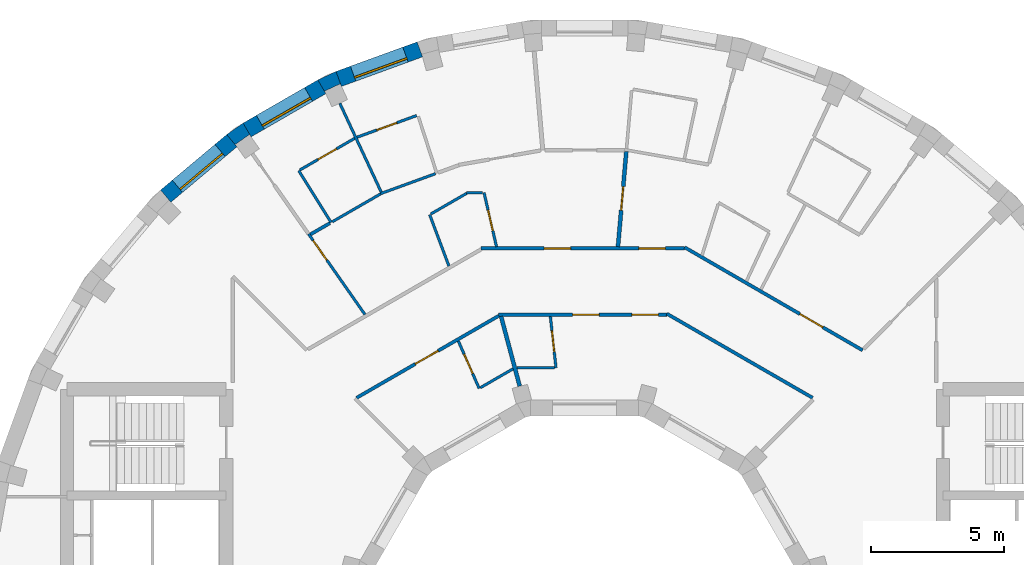
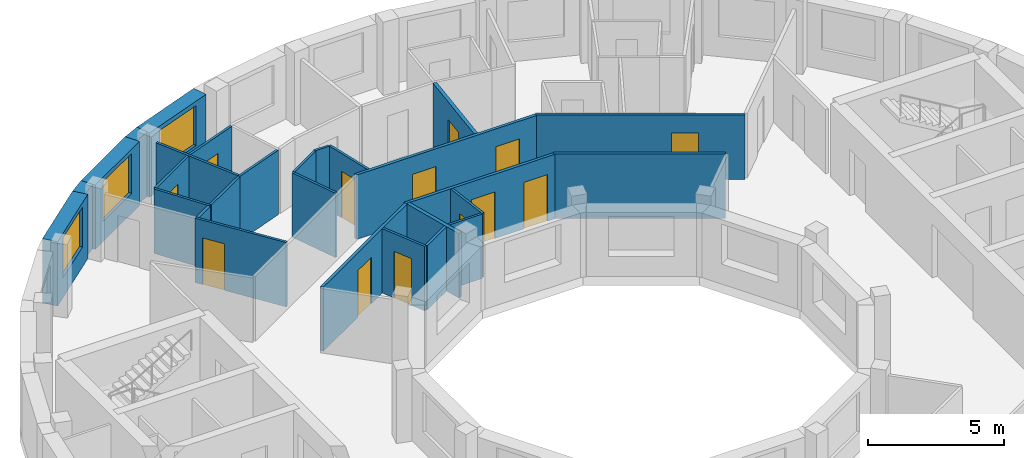
# One storey, part 9 of 12: 28 walls, 13 doors, 3 windows, 16 openings.
"""IFC4 building model written with IfcOpenShell, lengths in metres."""

from ifc_helpers import new_model, si_unit, direction, frame, frame_2d, origin, place, context, subcontext, project, spatial, polyline, rectangle, outline, extrude, material, layer, layer_set, type_object, element, fill, save


model = new_model("IFC4")

# Units and contexts
model_context = context("Model", 3, precision=1e-05, world=origin(), true_north=direction((0.0, 1.0)))
body_context = subcontext(model_context, "Body", "Model", "MODEL_VIEW")
ifc_project = project(units=[si_unit("LENGTHUNIT", "METRE"), si_unit("AREAUNIT", "SQUARE_METRE"), si_unit("VOLUMEUNIT", "CUBIC_METRE"), si_unit("PLANEANGLEUNIT", "RADIAN"), si_unit("MASSUNIT", "GRAM", prefix="KILO")], contexts=[model_context])

# Site, building, storey
site_placement = place(None, origin())
site = spatial("IfcSite", under=ifc_project, at=site_placement, CompositionType="ELEMENT")
building_placement = place(site_placement, origin())
building = spatial("IfcBuilding", under=site, at=building_placement, Name="Saqina Gate Tower", CompositionType="ELEMENT")
storey_placement = place(building_placement, frame((0.0, 0.0, 266.0)))
storey = spatial("IfcBuildingStorey", under=building, at=storey_placement, Name="L76", CompositionType="ELEMENT", Elevation=266.0)

# Walls
ifc_material_1 = material(Name="Brick masonry (buff)", Category="masonry")
wall_type_1 = type_object("IfcWallType", Name="BRICK PIER COPING BUFF", PredefinedType="SOLIDWALL", material=ifc_material_1)
wall_1_placement = place(storey_placement, origin())
element("IfcWall", 1, at=wall_1_placement, inside=storey, type_object=wall_type_1, Name="Pier cap L76 column 12", PredefinedType="SOLIDWALL", context=body_context, shape_type="SweptSolid", body=[
    extrude(outline(polyline([(-9.3642578125, 20.974609375), (-10.048095703125, 20.65576171875), (-9.748291015625, 20.135986328125), (-9.79296875, 20.23193359375), (-9.203857421875, 20.506591796875), (-9.1591796875, 20.410888671875), (-9.3642578125, 20.974609375)])), origin(), (0.0, 0.0, 1.0), 2.89990234375),
])
wall_2_placement = place(storey_placement, origin())
element("IfcWall", 2, at=wall_2_placement, inside=storey, type_object=wall_type_1, Name="Pier cap L76 column 13", PredefinedType="SOLIDWALL", context=body_context, shape_type="SweptSolid", body=[
    extrude(outline(polyline([(-12.8642578125, 19.02978515625), (-13.482421875, 18.59716796875), (-13.0966796875, 18.137451171875), (-13.157470703125, 18.22412109375), (-12.625, 18.596923828125), (-12.564208984375, 18.51025390625), (-12.8642578125, 19.02978515625)])), origin(), (0.0, 0.0, 1.0), 2.89990234375),
])

# Wall, opening, window
ifc_material_2 = material(Name="Brick masonry (buff)", Category="masonry")
ifc_layer_1 = layer(ifc_material_2, 0.60009765625)
ifc_layer_set_1 = layer_set([ifc_layer_1], Name="FW-BRICK-BUFF")
wall_type_2 = type_object("IfcWallType", Name="FW-BRICK-BUFF", PredefinedType="SOLIDWALL", material=ifc_layer_set_1)
wall_3_placement = place(storey_placement, frame((-6.2060546875, 21.804931640625, 0.0), z_axis=(0.0, 0.0, 1.0), x_axis=(-0.939679383794, -0.342056509473, 0.0)))
wall_3 = element("IfcWall", 3, at=wall_3_placement, inside=storey, type_object=wall_type_2, Name="Facade wall L76 facet 11", PredefinedType="SOLIDWALL", context=body_context, shape_type="SweptSolid", body=[
    extrude(rectangle(XDim=3.251708984375, YDim=0.60009765625, at=frame_2d((1.6259765625, 0.0))), origin(), (0.0, 0.0, 1.0), 2.89990234375),
])
opening_1_placement = place(wall_3_placement, frame((0.57568359375, 0.0, 0.89990234375)))
opening_1 = element("IfcOpeningElement", 4, at=opening_1_placement, cuts=wall_3, Name="Opening G22-W09", PredefinedType="OPENING", context=body_context, shape_type="SweptSolid", body=[
    extrude(rectangle(XDim=2.10009765625, YDim=1.800048828125, at=frame_2d((1.050048828125, 0.89990234375))), frame((0.0, 0.31201171875, 0.0), z_axis=(0.0, -1.0, 0.0), x_axis=(1.0, 0.0, 0.0)), (0.0, 0.0, 1.0), 0.6240234375),
])
ifc_material_3 = material(Name="Aluminium glazing", Category="aluminium")
window_type = type_object("IfcWindowType", Name="WN-D", PartitioningType="SINGLE_PANEL", PredefinedType="WINDOW", material=ifc_material_3)
window_1_placement = place(opening_1_placement, origin())
window_1 = element("IfcWindow", 5, at=window_1_placement, inside=storey, type_object=window_type, Name="Window L76 facet 11", OverallHeight=1.800048828125, OverallWidth=2.10009765625, PartitioningType="SINGLE_PANEL", PredefinedType="WINDOW", context=body_context, shape_type="SweptSolid", body=[
    extrude(rectangle(XDim=2.10009765625, YDim=1.800048828125, at=frame_2d((1.050048828125, 0.89990234375))), frame((0.0, 0.179931640625, 0.0), z_axis=(0.0, -1.0, 0.0), x_axis=(1.0, 0.0, 0.0)), (0.0, 0.0, 1.0), 0.06005859375),
])
fill(opening_1, window_1)

wall_4_placement = place(storey_placement, frame((-9.898193359375, 20.39599609375, 0.0), z_axis=(0.0, 0.0, 1.0), x_axis=(-0.866016800201, -0.500014901547, 0.0)))
wall_4 = element("IfcWall", 6, at=wall_4_placement, inside=storey, type_object=wall_type_2, Name="Facade wall L76 facet 12", PredefinedType="SOLIDWALL", context=body_context, shape_type="SweptSolid", body=[
    extrude(rectangle(XDim=3.251953125, YDim=0.60009765625, at=frame_2d((1.6259765625, 0.0))), origin(), (0.0, 0.0, 1.0), 2.89990234375),
])
opening_2_placement = place(wall_4_placement, frame((0.57568359375, 0.0, 0.89990234375)))
opening_2 = element("IfcOpeningElement", 7, at=opening_2_placement, cuts=wall_4, Name="Opening G22-W10", PredefinedType="OPENING", context=body_context, shape_type="SweptSolid", body=[
    extrude(rectangle(XDim=2.10009765625, YDim=1.800048828125, at=frame_2d((1.050048828125, 0.89990234375))), frame((0.0, 0.31201171875, 0.0), z_axis=(0.0, -1.0, 0.0), x_axis=(1.0, 0.0, 0.0)), (0.0, 0.0, 1.0), 0.6240234375),
])
window_2_placement = place(opening_2_placement, origin())
window_2 = element("IfcWindow", 8, at=window_2_placement, inside=storey, type_object=window_type, Name="Window L76 facet 12", OverallHeight=1.800048828125, OverallWidth=2.10009765625, PartitioningType="SINGLE_PANEL", PredefinedType="WINDOW", context=body_context, shape_type="SweptSolid", body=[
    extrude(rectangle(XDim=2.10009765625, YDim=1.800048828125, at=frame_2d((1.050048828125, 0.89990234375))), frame((0.0, 0.179931640625, 0.0), z_axis=(0.0, -1.0, 0.0), x_axis=(1.0, 0.0, 0.0)), (0.0, 0.0, 1.0), 0.06005859375),
])
fill(opening_2, window_2)

wall_5_placement = place(storey_placement, frame((-13.28955078125, 18.3671875, 0.0), z_axis=(0.0, 0.0, 1.0), x_axis=(-0.766056773982, -0.64277291405, 0.0)))
wall_5 = element("IfcWall", 9, at=wall_5_placement, inside=storey, type_object=wall_type_2, Name="Facade wall L76 facet 13", PredefinedType="SOLIDWALL", context=body_context, shape_type="SweptSolid", body=[
    extrude(rectangle(XDim=3.251708984375, YDim=0.60009765625, at=frame_2d((1.6259765625, 0.0))), origin(), (0.0, 0.0, 1.0), 2.89990234375),
])
opening_3_placement = place(wall_5_placement, frame((0.57568359375, 0.0, 0.89990234375)))
opening_3 = element("IfcOpeningElement", 10, at=opening_3_placement, cuts=wall_5, Name="Opening G22-W11", PredefinedType="OPENING", context=body_context, shape_type="SweptSolid", body=[
    extrude(rectangle(XDim=2.10009765625, YDim=1.800048828125, at=frame_2d((1.050048828125, 0.89990234375))), frame((0.0, 0.31201171875, 0.0), z_axis=(0.0, -1.0, 0.0), x_axis=(1.0, 0.0, 0.0)), (0.0, 0.0, 1.0), 0.6240234375),
])
window_3_placement = place(opening_3_placement, origin())
window_3 = element("IfcWindow", 11, at=window_3_placement, inside=storey, type_object=window_type, Name="Window L76 facet 13", OverallHeight=1.800048828125, OverallWidth=2.10009765625, PartitioningType="SINGLE_PANEL", PredefinedType="WINDOW", context=body_context, shape_type="SweptSolid", body=[
    extrude(rectangle(XDim=2.10009765625, YDim=1.800048828125, at=frame_2d((1.050048828125, 0.89990234375))), frame((0.0, 0.179931640625, 0.0), z_axis=(0.0, -1.0, 0.0), x_axis=(1.0, 0.0, 0.0)), (0.0, 0.0, 1.0), 0.06005859375),
])
fill(opening_3, window_3)

# Wall, opening, door
ifc_material_4 = material(Name="Gypsum board on steel studs, 100 mm", Category="steel")
ifc_layer_2 = layer(ifc_material_4, 0.10009765625)
ifc_layer_set_2 = layer_set([ifc_layer_2], Name="PARTITION 100")
wall_type_3 = type_object("IfcWallType", Name="PARTITION 100", PredefinedType="PARTITIONING", material=ifc_layer_set_2)
wall_6_placement = place(storey_placement, frame((-1.290283203125, 11.747802734375, 0.0), z_axis=(0.0, 0.0, 1.0), x_axis=(0.109455554722, -0.993991690881, 0.0)))
wall_6 = element("IfcWall", 12, at=wall_6_placement, inside=storey, type_object=wall_type_3, Name="PARTITION PW3-03", PredefinedType="PARTITIONING", context=body_context, shape_type="SweptSolid", body=[
    extrude(rectangle(XDim=1.949462890625, YDim=0.10009765625, at=frame_2d((0.974609375, 0.0))), origin(), (0.0, 0.0, 1.0), 2.89990234375),
])
opening_4_placement = place(wall_6_placement, frame((0.54345703125, 0.0, 0.0)))
opening_4 = element("IfcOpeningElement", 13, at=opening_4_placement, cuts=wall_6, Name="Opening G22-D15", PredefinedType="OPENING", context=body_context, shape_type="SweptSolid", body=[
    extrude(rectangle(XDim=0.800048828125, YDim=2.10009765625, at=frame_2d((0.39990234375, 1.050048828125))), frame((0.0, 0.06201171875, 0.0), z_axis=(0.0, -1.0, 0.0), x_axis=(1.0, 0.0, 0.0)), (0.0, 0.0, 1.0), 0.1240234375),
])
ifc_material_5 = material(Name="Timber door leaf, 800 mm", Category="wood")
door_type_1 = type_object("IfcDoorType", Name="DOOR 800 TIMBER", OperationType="SINGLE_SWING_LEFT", PredefinedType="DOOR", material=ifc_material_5)
door_1_placement = place(opening_4_placement, origin())
door_1 = element("IfcDoor", 14, at=door_1_placement, inside=storey, type_object=door_type_1, Name="DOOR G22-D15", OperationType="SINGLE_SWING_LEFT", OverallHeight=2.10009765625, OverallWidth=0.800048828125, PredefinedType="DOOR", context=body_context, shape_type="SweptSolid", body=[
    extrude(rectangle(XDim=0.800048828125, YDim=2.10009765625, at=frame_2d((0.39990234375, 1.050048828125))), frame((0.0, 0.02490234375, 0.0), z_axis=(0.0, -1.0, 0.0), x_axis=(1.0, 0.0, 0.0)), (0.0, 0.0, 1.0), 0.050048828125),
])
fill(opening_4, door_1)

wall_7_placement = place(storey_placement, frame((-3.7890625, 16.409912109375, 0.0), z_axis=(0.0, 0.0, 1.0), x_axis=(0.22503842629, -0.974349889256, 0.0)))
wall_7 = element("IfcWall", 15, at=wall_7_placement, inside=storey, type_object=wall_type_3, Name="PARTITION PW3-06", PredefinedType="PARTITIONING", context=body_context, shape_type="SweptSolid", body=[
    extrude(rectangle(XDim=2.0927734375, YDim=0.10009765625, at=frame_2d((1.04638671875, 0.0))), origin(), (0.0, 0.0, 1.0), 2.89990234375),
])
opening_5_placement = place(wall_7_placement, frame((0.677490234375, 0.0, 0.0)))
opening_5 = element("IfcOpeningElement", 16, at=opening_5_placement, cuts=wall_7, Name="Opening G22-D17", PredefinedType="OPENING", context=body_context, shape_type="SweptSolid", body=[
    extrude(rectangle(XDim=0.800048828125, YDim=2.10009765625, at=frame_2d((0.39990234375, 1.050048828125))), frame((0.0, 0.06201171875, 0.0), z_axis=(0.0, -1.0, 0.0), x_axis=(1.0, 0.0, 0.0)), (0.0, 0.0, 1.0), 0.1240234375),
])
door_2_placement = place(opening_5_placement, origin())
door_2 = element("IfcDoor", 17, at=door_2_placement, inside=storey, type_object=door_type_1, Name="DOOR G22-D17", OperationType="SINGLE_SWING_RIGHT", OverallHeight=2.10009765625, OverallWidth=0.800048828125, PredefinedType="DOOR", context=body_context, shape_type="SweptSolid", body=[
    extrude(rectangle(XDim=0.800048828125, YDim=2.10009765625, at=frame_2d((0.39990234375, 1.050048828125))), frame((0.0, 0.02490234375, 0.0), z_axis=(0.0, -1.0, 0.0), x_axis=(1.0, 0.0, 0.0)), (0.0, 0.0, 1.0), 0.050048828125),
])
fill(opening_5, door_2)

# Wall
wall_8_placement = place(storey_placement, frame((-5.8359375, 15.5791015625, 0.0), z_axis=(0.0, 0.0, 1.0), x_axis=(0.350786772872, -0.936455359309, 0.0)))
element("IfcWall", 18, at=wall_8_placement, inside=storey, type_object=wall_type_3, Name="PARTITION PW3-08", PredefinedType="PARTITIONING", context=body_context, shape_type="SweptSolid", body=[
    extrude(rectangle(XDim=2.06640625, YDim=0.10009765625, at=frame_2d((1.033203125, 0.0))), origin(), (0.0, 0.0, 1.0), 2.89990234375),
])

# Wall, opening, door
wall_9_placement = place(storey_placement, frame((-4.7568359375, 10.81884765625, 0.0), z_axis=(0.0, 0.0, 1.0), x_axis=(0.402545589402, -0.915399939072, 0.0)))
wall_9 = element("IfcWall", 19, at=wall_9_placement, inside=storey, type_object=wall_type_3, Name="PARTITION PW3-09", PredefinedType="PARTITIONING", context=body_context, shape_type="SweptSolid", body=[
    extrude(rectangle(XDim=1.949951171875, YDim=0.10009765625, at=frame_2d((0.97509765625, 0.0))), origin(), (0.0, 0.0, 1.0), 2.89990234375),
])
opening_6_placement = place(wall_9_placement, frame((0.543701171875, 0.0, 0.0)))
opening_6 = element("IfcOpeningElement", 20, at=opening_6_placement, cuts=wall_9, Name="Opening G22-D19", PredefinedType="OPENING", context=body_context, shape_type="SweptSolid", body=[
    extrude(rectangle(XDim=0.800048828125, YDim=2.10009765625, at=frame_2d((0.39990234375, 1.050048828125))), frame((0.0, 0.06201171875, 0.0), z_axis=(0.0, -1.0, 0.0), x_axis=(1.0, 0.0, 0.0)), (0.0, 0.0, 1.0), 0.1240234375),
])
door_3_placement = place(opening_6_placement, frame((0.800048828125, 0.0, 0.0), z_axis=(0.0, 0.0, 1.0), x_axis=(-1.0, 0.0, 0.0)))
door_3 = element("IfcDoor", 21, at=door_3_placement, inside=storey, type_object=door_type_1, Name="DOOR G22-D19", OperationType="SINGLE_SWING_RIGHT", OverallHeight=2.10009765625, OverallWidth=0.800048828125, PredefinedType="DOOR", context=body_context, shape_type="SweptSolid", body=[
    extrude(rectangle(XDim=0.800048828125, YDim=2.10009765625, at=frame_2d((0.39990234375, 1.050048828125))), frame((0.0, 0.02490234375, 0.0), z_axis=(0.0, -1.0, 0.0), x_axis=(1.0, 0.0, 0.0)), (0.0, 0.0, 1.0), 0.050048828125),
])
fill(opening_6, door_3)

# Walls
wall_10_placement = place(storey_placement, frame((-9.2197265625, 19.77099609375, 0.0), z_axis=(0.0, 0.0, 1.0), x_axis=(0.422606093897, -0.906313460896, 0.0)))
element("IfcWall", 22, at=wall_10_placement, inside=storey, type_object=wall_type_3, Name="PARTITION PW3-11", PredefinedType="PARTITIONING", context=body_context, shape_type="SweptSolid", body=[
    extrude(rectangle(XDim=3.68408203125, YDim=0.10009765625, at=frame_2d((1.842041015625, 0.0))), origin(), (0.0, 0.0, 1.0), 2.89990234375),
])
wall_11_placement = place(storey_placement, frame((-10.77001953125, 17.237060546875, 0.0), z_axis=(0.0, 0.0, 1.0), x_axis=(0.529960807047, -0.848022135911, 0.0)))
element("IfcWall", 23, at=wall_11_placement, inside=storey, type_object=wall_type_3, Name="PARTITION PW3-12", PredefinedType="PARTITIONING", context=body_context, shape_type="SweptSolid", body=[
    extrude(rectangle(XDim=2.302001953125, YDim=0.10009765625, at=frame_2d((1.15087890625, 0.0))), origin(), (0.0, 0.0, 1.0), 2.89990234375),
])

# Wall, opening, door
wall_12_placement = place(storey_placement, frame((-10.399169921875, 14.85205078125, 0.0), z_axis=(0.0, 0.0, 1.0), x_axis=(0.573661423556, -0.819092529037, 0.0)))
wall_12 = element("IfcWall", 24, at=wall_12_placement, inside=storey, type_object=wall_type_3, Name="PARTITION PW3-13", PredefinedType="PARTITIONING", context=body_context, shape_type="SweptSolid", body=[
    extrude(rectangle(XDim=3.703369140625, YDim=0.10009765625, at=frame_2d((1.8515625, 0.0))), origin(), (0.0, 0.0, 1.0), 2.89990234375),
])
opening_7_placement = place(wall_12_placement, frame((0.29931640625, 0.0, 0.0)))
opening_7 = element("IfcOpeningElement", 25, at=opening_7_placement, cuts=wall_12, Name="Opening G22-D22", PredefinedType="OPENING", context=body_context, shape_type="SweptSolid", body=[
    extrude(rectangle(XDim=0.89990234375, YDim=2.10009765625, at=frame_2d((0.449951171875, 1.050048828125))), frame((0.0, 0.06201171875, 0.0), z_axis=(0.0, -1.0, 0.0), x_axis=(1.0, 0.0, 0.0)), (0.0, 0.0, 1.0), 0.1240234375),
])
ifc_material_6 = material(Name="Timber door leaf, 900 mm", Category="wood")
door_type_2 = type_object("IfcDoorType", Name="DOOR 900 TIMBER", OperationType="SINGLE_SWING_LEFT", PredefinedType="DOOR", material=ifc_material_6)
door_4_placement = place(opening_7_placement, frame((0.89990234375, 0.0, 0.0), z_axis=(0.0, 0.0, 1.0), x_axis=(-1.0, 0.0, 0.0)))
door_4 = element("IfcDoor", 26, at=door_4_placement, inside=storey, type_object=door_type_2, Name="DOOR G22-D22", OperationType="SINGLE_SWING_RIGHT", OverallHeight=2.10009765625, OverallWidth=0.89990234375, PredefinedType="DOOR", context=body_context, shape_type="SweptSolid", body=[
    extrude(rectangle(XDim=0.89990234375, YDim=2.10009765625, at=frame_2d((0.449951171875, 1.050048828125))), frame((0.0, 0.02490234375, 0.0), z_axis=(0.0, -1.0, 0.0), x_axis=(1.0, 0.0, 0.0)), (0.0, 0.0, 1.0), 0.050048828125),
])
fill(opening_7, door_4)

# Walls
wall_13_placement = place(storey_placement, frame((-2.553955078125, 9.81005859375, 0.0), z_axis=(0.0, 0.0, 1.0), x_axis=(1.0, 0.0, 0.0)))
element("IfcWall", 27, at=wall_13_placement, inside=storey, type_object=wall_type_3, Name="PARTITION PW3-29", PredefinedType="PARTITIONING", context=body_context, shape_type="SweptSolid", body=[
    extrude(rectangle(XDim=1.427001953125, YDim=0.10009765625, at=frame_2d((0.71337890625, 0.0))), origin(), (0.0, 0.0, 1.0), 2.89990234375),
])
wall_14_placement = place(storey_placement, frame((-4.454833984375, 16.409912109375, 0.0), z_axis=(0.0, 0.0, 1.0), x_axis=(1.0, 0.0, 0.0)))
element("IfcWall", 28, at=wall_14_placement, inside=storey, type_object=wall_type_3, Name="PARTITION PW3-30", PredefinedType="PARTITIONING", context=body_context, shape_type="SweptSolid", body=[
    extrude(rectangle(XDim=0.61572265625, YDim=0.10009765625, at=frame_2d((0.307861328125, 0.0))), origin(), (0.0, 0.0, 1.0), 2.89990234375),
])
wall_15_placement = place(storey_placement, frame((-7.688720703125, 16.36962890625, 0.0), z_axis=(0.0, 0.0, 1.0), x_axis=(0.939680214162, 0.342054228323, 0.0)))
element("IfcWall", 29, at=wall_15_placement, inside=storey, type_object=wall_type_3, Name="PARTITION PW3-33", PredefinedType="PARTITIONING", context=body_context, shape_type="SweptSolid", body=[
    extrude(rectangle(XDim=2.204833984375, YDim=0.10009765625, at=frame_2d((1.1025390625, 0.0))), origin(), (0.0, 0.0, 1.0), 2.89990234375),
])

# Wall, opening, door
wall_16_placement = place(storey_placement, frame((-8.570068359375, 18.4970703125, 0.0), z_axis=(0.0, 0.0, 1.0), x_axis=(0.939715724906, 0.341956658606, 0.0)))
wall_16 = element("IfcWall", 30, at=wall_16_placement, inside=storey, type_object=wall_type_3, Name="PARTITION PW3-34", PredefinedType="PARTITIONING", context=body_context, shape_type="SweptSolid", body=[
    extrude(rectangle(XDim=2.385986328125, YDim=0.10009765625, at=frame_2d((1.19287109375, 0.0))), origin(), (0.0, 0.0, 1.0), 2.89990234375),
])
opening_8_placement = place(wall_16_placement, frame((0.792236328125, 0.0, 0.0)))
opening_8 = element("IfcOpeningElement", 31, at=opening_8_placement, cuts=wall_16, Name="Opening G22-D18", PredefinedType="OPENING", context=body_context, shape_type="SweptSolid", body=[
    extrude(rectangle(XDim=0.800048828125, YDim=2.10009765625, at=frame_2d((0.39990234375, 1.050048828125))), frame((0.0, 0.06201171875, 0.0), z_axis=(0.0, -1.0, 0.0), x_axis=(1.0, 0.0, 0.0)), (0.0, 0.0, 1.0), 0.1240234375),
])
door_5_placement = place(opening_8_placement, origin())
door_5 = element("IfcDoor", 32, at=door_5_placement, inside=storey, type_object=door_type_1, Name="DOOR G22-D18", OperationType="SINGLE_SWING_LEFT", OverallHeight=2.10009765625, OverallWidth=0.800048828125, PredefinedType="DOOR", context=body_context, shape_type="SweptSolid", body=[
    extrude(rectangle(XDim=0.800048828125, YDim=2.10009765625, at=frame_2d((0.39990234375, 1.050048828125))), frame((0.0, 0.02490234375, 0.0), z_axis=(0.0, -1.0, 0.0), x_axis=(1.0, 0.0, 0.0)), (0.0, 0.0, 1.0), 0.050048828125),
])
fill(opening_8, door_5)

# Walls
wall_17_placement = place(storey_placement, frame((-3.9287109375, 9.05908203125, 0.0), z_axis=(0.0, 0.0, 1.0), x_axis=(0.865894734208, 0.500226258078, 0.0)))
element("IfcWall", 33, at=wall_17_placement, inside=storey, type_object=wall_type_3, Name="PARTITION PW3-35", PredefinedType="PARTITIONING", context=body_context, shape_type="SweptSolid", body=[
    extrude(rectangle(XDim=1.426025390625, YDim=0.10009765625, at=frame_2d((0.712890625, 0.0))), origin(), (0.0, 0.0, 1.0), 2.89990234375),
])
wall_18_placement = place(storey_placement, frame((-5.792724609375, 15.60400390625, 0.0), z_axis=(0.0, 0.0, 1.0), x_axis=(0.865992945458, 0.500056215256, 0.0)))
element("IfcWall", 34, at=wall_18_placement, inside=storey, type_object=wall_type_3, Name="PARTITION PW3-36", PredefinedType="PARTITIONING", context=body_context, shape_type="SweptSolid", body=[
    extrude(rectangle(XDim=1.561767578125, YDim=0.10009765625, at=frame_2d((0.78076171875, 0.0))), origin(), (0.0, 0.0, 1.0), 2.89990234375),
])
wall_19_placement = place(storey_placement, frame((-9.506591796875, 15.31005859375, 0.0), z_axis=(0.0, 0.0, 1.0), x_axis=(0.86604260665, 0.49997020258, 0.0)))
element("IfcWall", 35, at=wall_19_placement, inside=storey, type_object=wall_type_3, Name="PARTITION PW3-37", PredefinedType="PARTITIONING", context=body_context, shape_type="SweptSolid", body=[
    extrude(rectangle(XDim=2.104248046875, YDim=0.10009765625, at=frame_2d((1.05224609375, 0.0))), origin(), (0.0, 0.0, 1.0), 2.89990234375),
])

# Wall, opening, door
wall_20_placement = place(storey_placement, frame((-10.726806640625, 17.261962890625, 0.0), z_axis=(0.0, 0.0, 1.0), x_axis=(0.866011787705, 0.500023583, 0.0)))
wall_20 = element("IfcWall", 36, at=wall_20_placement, inside=storey, type_object=wall_type_3, Name="PARTITION PW3-38", PredefinedType="PARTITIONING", context=body_context, shape_type="SweptSolid", body=[
    extrude(rectangle(XDim=2.38623046875, YDim=0.10009765625, at=frame_2d((1.193115234375, 0.0))), origin(), (0.0, 0.0, 1.0), 2.89990234375),
])
opening_9_placement = place(wall_20_placement, frame((0.79296875, 0.0, 0.0)))
opening_9 = element("IfcOpeningElement", 37, at=opening_9_placement, cuts=wall_20, Name="Opening G22-D20", PredefinedType="OPENING", context=body_context, shape_type="SweptSolid", body=[
    extrude(rectangle(XDim=0.800048828125, YDim=2.10009765625, at=frame_2d((0.39990234375, 1.050048828125))), frame((0.0, 0.06201171875, 0.0), z_axis=(0.0, -1.0, 0.0), x_axis=(1.0, 0.0, 0.0)), (0.0, 0.0, 1.0), 0.1240234375),
])
door_6_placement = place(opening_9_placement, origin())
door_6 = element("IfcDoor", 38, at=door_6_placement, inside=storey, type_object=door_type_1, Name="DOOR G22-D20", OperationType="SINGLE_SWING_LEFT", OverallHeight=2.10009765625, OverallWidth=0.800048828125, PredefinedType="DOOR", context=body_context, shape_type="SweptSolid", body=[
    extrude(rectangle(XDim=0.800048828125, YDim=2.10009765625, at=frame_2d((0.39990234375, 1.050048828125))), frame((0.0, 0.02490234375, 0.0), z_axis=(0.0, -1.0, 0.0), x_axis=(1.0, 0.0, 0.0)), (0.0, 0.0, 1.0), 0.050048828125),
])
fill(opening_9, door_6)

ifc_material_7 = material(Name="Gypsum board on steel studs, 125 mm, fire rated", Category="steel")
ifc_layer_3 = layer(ifc_material_7, 0.125)
ifc_layer_set_3 = layer_set([ifc_layer_3], Name="PARTITION EI 30 125")
wall_type_4 = type_object("IfcWallType", Name="PARTITION EI 30 125", PredefinedType="PARTITIONING", material=ifc_layer_set_3)
wall_21_placement = place(storey_placement, frame((3.7705078125, 14.3486328125, 0.0), z_axis=(0.0, 0.0, 1.0), x_axis=(0.865490316698, -0.500925654865, 0.0)))
wall_21 = element("IfcWall", 39, at=wall_21_placement, inside=storey, type_object=wall_type_4, Name="PARTITION PW1-09", PredefinedType="PARTITIONING", context=body_context, shape_type="SweptSolid", body=[
    extrude(rectangle(XDim=7.743408203125, YDim=0.125, at=frame_2d((3.87158203125, 0.0))), origin(), (0.0, 0.0, 1.0), 2.89990234375),
])
opening_10_placement = place(wall_21_placement, frame((5.014892578125, 0.0, 0.0)))
opening_10 = element("IfcOpeningElement", 40, at=opening_10_placement, cuts=wall_21, Name="Opening G22-D03", PredefinedType="OPENING", context=body_context, shape_type="SweptSolid", body=[
    extrude(rectangle(XDim=1.0, YDim=2.10009765625, at=frame_2d((0.5, 1.050048828125))), frame((0.0, 0.074462890625, 0.0), z_axis=(0.0, -1.0, 0.0), x_axis=(1.0, 0.0, 0.0)), (0.0, 0.0, 1.0), 0.14892578125),
])
ifc_material_8 = material(Name="Fire door leaf EI 30, 1000 mm")
door_type_3 = type_object("IfcDoorType", Name="DOOR 1000 EI 30", OperationType="SINGLE_SWING_LEFT", PredefinedType="DOOR", material=ifc_material_8)
door_7_placement = place(opening_10_placement, origin())
door_7 = element("IfcDoor", 41, at=door_7_placement, inside=storey, type_object=door_type_3, Name="DOOR G22-D03", OperationType="SINGLE_SWING_RIGHT", OverallHeight=2.10009765625, OverallWidth=1.0, PredefinedType="DOOR", context=body_context, shape_type="SweptSolid", body=[
    extrude(rectangle(XDim=1.0, YDim=2.10009765625, at=frame_2d((0.5, 1.050048828125))), frame((0.0, 0.02490234375, 0.0), z_axis=(0.0, -1.0, 0.0), x_axis=(1.0, 0.0, 0.0)), (0.0, 0.0, 1.0), 0.050048828125),
])
fill(opening_10, door_7)

# Wall
wall_22_placement = place(storey_placement, frame((3.1015625, 11.84619140625, 0.0), z_axis=(0.0, 0.0, 1.0), x_axis=(0.866089359129, -0.499889209729, 0.0)))
element("IfcWall", 42, at=wall_22_placement, inside=storey, type_object=wall_type_4, Name="PARTITION PW1-13", PredefinedType="PARTITIONING", context=body_context, shape_type="SweptSolid", body=[
    extrude(rectangle(XDim=6.3369140625, YDim=0.125, at=frame_2d((3.16845703125, 0.0))), origin(), (0.0, 0.0, 1.0), 2.89990234375),
])

# Wall, openings, doors
wall_23_placement = place(storey_placement, frame((-3.25048828125, 11.81005859375, 0.0), z_axis=(0.0, 0.0, 1.0), x_axis=(1.0, 0.0, 0.0)))
wall_23 = element("IfcWall", 43, at=wall_23_placement, inside=storey, type_object=wall_type_4, Name="PARTITION PW1-19", PredefinedType="PARTITIONING", context=body_context, shape_type="SweptSolid", body=[
    extrude(rectangle(XDim=6.35205078125, YDim=0.125, at=frame_2d((3.176025390625, 0.0))), origin(), (0.0, 0.0, 1.0), 2.89990234375),
])
opening_11_placement = place(wall_23_placement, frame((5.031982421875, 0.0, 0.0)))
opening_11 = element("IfcOpeningElement", 44, at=opening_11_placement, cuts=wall_23, Name="Opening G22-D08", PredefinedType="OPENING", context=body_context, shape_type="SweptSolid", body=[
    extrude(rectangle(XDim=1.0, YDim=2.10009765625, at=frame_2d((0.5, 1.050048828125))), frame((0.0, 0.074462890625, 0.0), z_axis=(0.0, -1.0, 0.0), x_axis=(1.0, 0.0, 0.0)), (0.0, 0.0, 1.0), 0.14892578125),
])
opening_12_placement = place(wall_23_placement, frame((2.801025390625, 0.0, 0.0)))
opening_12 = element("IfcOpeningElement", 45, at=opening_12_placement, cuts=wall_23, Name="Opening G22-D12", PredefinedType="OPENING", context=body_context, shape_type="SweptSolid", body=[
    extrude(rectangle(XDim=1.0, YDim=2.10009765625, at=frame_2d((0.5, 1.050048828125))), frame((0.0, 0.074462890625, 0.0), z_axis=(0.0, -1.0, 0.0), x_axis=(1.0, 0.0, 0.0)), (0.0, 0.0, 1.0), 0.14892578125),
])
door_8_placement = place(opening_11_placement, frame((1.0, 0.0, 0.0), z_axis=(0.0, 0.0, 1.0), x_axis=(-1.0, 0.0, 0.0)))
door_8 = element("IfcDoor", 46, at=door_8_placement, inside=storey, type_object=door_type_3, Name="DOOR G22-D08", OperationType="SINGLE_SWING_LEFT", OverallHeight=2.10009765625, OverallWidth=1.0, PredefinedType="DOOR", context=body_context, shape_type="SweptSolid", body=[
    extrude(rectangle(XDim=1.0, YDim=2.10009765625, at=frame_2d((0.5, 1.050048828125))), frame((0.0, 0.02490234375, 0.0), z_axis=(0.0, -1.0, 0.0), x_axis=(1.0, 0.0, 0.0)), (0.0, 0.0, 1.0), 0.050048828125),
])
fill(opening_11, door_8)
door_9_placement = place(opening_12_placement, frame((1.0, 0.0, 0.0), z_axis=(0.0, 0.0, 1.0), x_axis=(-1.0, 0.0, 0.0)))
door_9 = element("IfcDoor", 47, at=door_9_placement, inside=storey, type_object=door_type_3, Name="DOOR G22-D12", OperationType="SINGLE_SWING_LEFT", OverallHeight=2.10009765625, OverallWidth=1.0, PredefinedType="DOOR", context=body_context, shape_type="SweptSolid", body=[
    extrude(rectangle(XDim=1.0, YDim=2.10009765625, at=frame_2d((0.5, 1.050048828125))), frame((0.0, 0.02490234375, 0.0), z_axis=(0.0, -1.0, 0.0), x_axis=(1.0, 0.0, 0.0)), (0.0, 0.0, 1.0), 0.050048828125),
])
fill(opening_12, door_9)

wall_24_placement = place(storey_placement, frame((-3.90625, 14.31005859375, 0.0), z_axis=(0.0, 0.0, 1.0), x_axis=(1.0, 0.0, 0.0)))
wall_24 = element("IfcWall", 48, at=wall_24_placement, inside=storey, type_object=wall_type_4, Name="PARTITION PW1-20", PredefinedType="PARTITIONING", context=body_context, shape_type="SweptSolid", body=[
    extrude(rectangle(XDim=7.6767578125, YDim=0.125, at=frame_2d((3.83837890625, 0.0))), origin(), (0.0, 0.0, 1.0), 2.89990234375),
])
opening_13_placement = place(wall_24_placement, frame((5.94921875, 0.0, 0.0)))
opening_13 = element("IfcOpeningElement", 49, at=opening_13_placement, cuts=wall_24, Name="Opening G22-D09", PredefinedType="OPENING", context=body_context, shape_type="SweptSolid", body=[
    extrude(rectangle(XDim=1.0, YDim=2.10009765625, at=frame_2d((0.5, 1.050048828125))), frame((0.0, 0.074462890625, 0.0), z_axis=(0.0, -1.0, 0.0), x_axis=(1.0, 0.0, 0.0)), (0.0, 0.0, 1.0), 0.14892578125),
])
opening_14_placement = place(wall_24_placement, frame((2.380126953125, 0.0, 0.0)))
opening_14 = element("IfcOpeningElement", 50, at=opening_14_placement, cuts=wall_24, Name="Opening G22-D14", PredefinedType="OPENING", context=body_context, shape_type="SweptSolid", body=[
    extrude(rectangle(XDim=1.0, YDim=2.10009765625, at=frame_2d((0.5, 1.050048828125))), frame((0.0, 0.074462890625, 0.0), z_axis=(0.0, -1.0, 0.0), x_axis=(1.0, 0.0, 0.0)), (0.0, 0.0, 1.0), 0.14892578125),
])
door_10_placement = place(opening_13_placement, origin())
door_10 = element("IfcDoor", 51, at=door_10_placement, inside=storey, type_object=door_type_3, Name="DOOR G22-D09", OperationType="SINGLE_SWING_RIGHT", OverallHeight=2.10009765625, OverallWidth=1.0, PredefinedType="DOOR", context=body_context, shape_type="SweptSolid", body=[
    extrude(rectangle(XDim=1.0, YDim=2.10009765625, at=frame_2d((0.5, 1.050048828125))), frame((0.0, 0.02490234375, 0.0), z_axis=(0.0, -1.0, 0.0), x_axis=(1.0, 0.0, 0.0)), (0.0, 0.0, 1.0), 0.050048828125),
])
fill(opening_13, door_10)
door_11_placement = place(opening_14_placement, origin())
door_11 = element("IfcDoor", 52, at=door_11_placement, inside=storey, type_object=door_type_3, Name="DOOR G22-D14", OperationType="SINGLE_SWING_LEFT", OverallHeight=2.10009765625, OverallWidth=1.0, PredefinedType="DOOR", context=body_context, shape_type="SweptSolid", body=[
    extrude(rectangle(XDim=1.0, YDim=2.10009765625, at=frame_2d((0.5, 1.050048828125))), frame((0.0, 0.02490234375, 0.0), z_axis=(0.0, -1.0, 0.0), x_axis=(1.0, 0.0, 0.0)), (0.0, 0.0, 1.0), 0.050048828125),
])
fill(opening_14, door_11)

# Wall, opening, door
wall_25_placement = place(storey_placement, frame((-8.591796875, 8.67724609375, 0.0), z_axis=(0.0, 0.0, 1.0), x_axis=(0.866094986022, 0.499879460657, 0.0)))
wall_25 = element("IfcWall", 53, at=wall_25_placement, inside=storey, type_object=wall_type_4, Name="PARTITION PW1-27", PredefinedType="PARTITIONING", context=body_context, shape_type="SweptSolid", body=[
    extrude(rectangle(XDim=6.19189453125, YDim=0.125, at=frame_2d((3.095947265625, 0.0))), origin(), (0.0, 0.0, 1.0), 2.89990234375),
])
opening_15_placement = place(wall_25_placement, frame((2.551513671875, 0.0, 0.0)))
opening_15 = element("IfcOpeningElement", 54, at=opening_15_placement, cuts=wall_25, Name="Opening G22-D21", PredefinedType="OPENING", context=body_context, shape_type="SweptSolid", body=[
    extrude(rectangle(XDim=1.0, YDim=2.10009765625, at=frame_2d((0.5, 1.050048828125))), frame((0.0, 0.074462890625, 0.0), z_axis=(0.0, -1.0, 0.0), x_axis=(1.0, 0.0, 0.0)), (0.0, 0.0, 1.0), 0.14892578125),
])
door_12_placement = place(opening_15_placement, frame((1.0, 0.0, 0.0), z_axis=(0.0, 0.0, 1.0), x_axis=(-1.0, 0.0, 0.0)))
door_12 = element("IfcDoor", 55, at=door_12_placement, inside=storey, type_object=door_type_3, Name="DOOR G22-D21", OperationType="SINGLE_SWING_RIGHT", OverallHeight=2.10009765625, OverallWidth=1.0, PredefinedType="DOOR", context=body_context, shape_type="SweptSolid", body=[
    extrude(rectangle(XDim=1.0, YDim=2.10009765625, at=frame_2d((0.5, 1.050048828125))), frame((0.0, 0.02490234375, 0.0), z_axis=(0.0, -1.0, 0.0), x_axis=(1.0, 0.0, 0.0)), (0.0, 0.0, 1.0), 0.050048828125),
])
fill(opening_15, door_12)

# Walls
wall_26_placement = place(storey_placement, frame((-10.32568359375, 14.837158203125, 0.0), z_axis=(0.0, 0.0, 1.0), x_axis=(0.866031754707, 0.499988999718, 0.0)))
element("IfcWall", 56, at=wall_26_placement, inside=storey, type_object=wall_type_4, Name="PARTITION PW1-29", PredefinedType="PARTITIONING", context=body_context, shape_type="SweptSolid", body=[
    extrude(rectangle(XDim=0.845703125, YDim=0.125, at=frame_2d((0.4228515625, 0.0))), origin(), (0.0, 0.0, 1.0), 2.89990234375),
])
ifc_material_9 = material(Name="Gypsum board on steel studs, 150 mm, fire rated", Category="steel")
ifc_layer_4 = layer(ifc_material_9, 0.14990234375)
ifc_layer_set_4 = layer_set([ifc_layer_4], Name="PARTITION EI 60 150")
wall_type_5 = type_object("IfcWallType", Name="PARTITION EI 60 150", PredefinedType="PARTITIONING", material=ifc_layer_set_4)
wall_27_placement = place(storey_placement, frame((-3.147705078125, 11.749755859375, 0.0), z_axis=(0.0, 0.0, 1.0), x_axis=(0.258332538153, -0.966056054135, 0.0)))
element("IfcWall", 57, at=wall_27_placement, inside=storey, type_object=wall_type_5, Name="PARTITION PW2-02", PredefinedType="PARTITIONING", context=body_context, shape_type="SweptSolid", body=[
    extrude(rectangle(XDim=2.7216796875, YDim=0.14990234375, at=frame_2d((1.36083984375, 0.0))), origin(), (0.0, 0.0, 1.0), 2.89990234375),
])

# Wall, opening, door
wall_28_placement = place(storey_placement, frame((1.25732421875, 14.372314453125, 0.0), z_axis=(0.0, 0.0, 1.0), x_axis=(0.08726107822, 0.99618547682, 0.0)))
wall_28 = element("IfcWall", 58, at=wall_28_placement, inside=storey, type_object=wall_type_5, Name="PARTITION PW2-06", PredefinedType="PARTITIONING", context=body_context, shape_type="SweptSolid", body=[
    extrude(rectangle(XDim=3.603515625, YDim=0.14990234375, at=frame_2d((1.8017578125, 0.0))), origin(), (0.0, 0.0, 1.0), 2.89990234375),
])
opening_16_placement = place(wall_28_placement, frame((1.374267578125, 0.0, 0.0)))
opening_16 = element("IfcOpeningElement", 59, at=opening_16_placement, cuts=wall_28, Name="Opening G22-D11", PredefinedType="OPENING", context=body_context, shape_type="SweptSolid", body=[
    extrude(rectangle(XDim=0.89990234375, YDim=2.10009765625, at=frame_2d((0.449951171875, 1.050048828125))), frame((0.0, 0.0869140625, 0.0), z_axis=(0.0, -1.0, 0.0), x_axis=(1.0, 0.0, 0.0)), (0.0, 0.0, 1.0), 0.173828125),
])
ifc_material_10 = material(Name="Fire door leaf EI 30, 900 mm")
door_type_4 = type_object("IfcDoorType", Name="DOOR 900 EI 30", OperationType="SINGLE_SWING_LEFT", PredefinedType="DOOR", material=ifc_material_10)
door_13_placement = place(opening_16_placement, origin())
door_13 = element("IfcDoor", 60, at=door_13_placement, inside=storey, type_object=door_type_4, Name="DOOR G22-D11", OperationType="SINGLE_SWING_RIGHT", OverallHeight=2.10009765625, OverallWidth=0.89990234375, PredefinedType="DOOR", context=body_context, shape_type="SweptSolid", body=[
    extrude(rectangle(XDim=0.89990234375, YDim=2.10009765625, at=frame_2d((0.449951171875, 1.050048828125))), frame((0.0, 0.02490234375, 0.0), z_axis=(0.0, -1.0, 0.0), x_axis=(1.0, 0.0, 0.0)), (0.0, 0.0, 1.0), 0.050048828125),
])
fill(opening_16, door_13)

save(model, "model.ifc")
